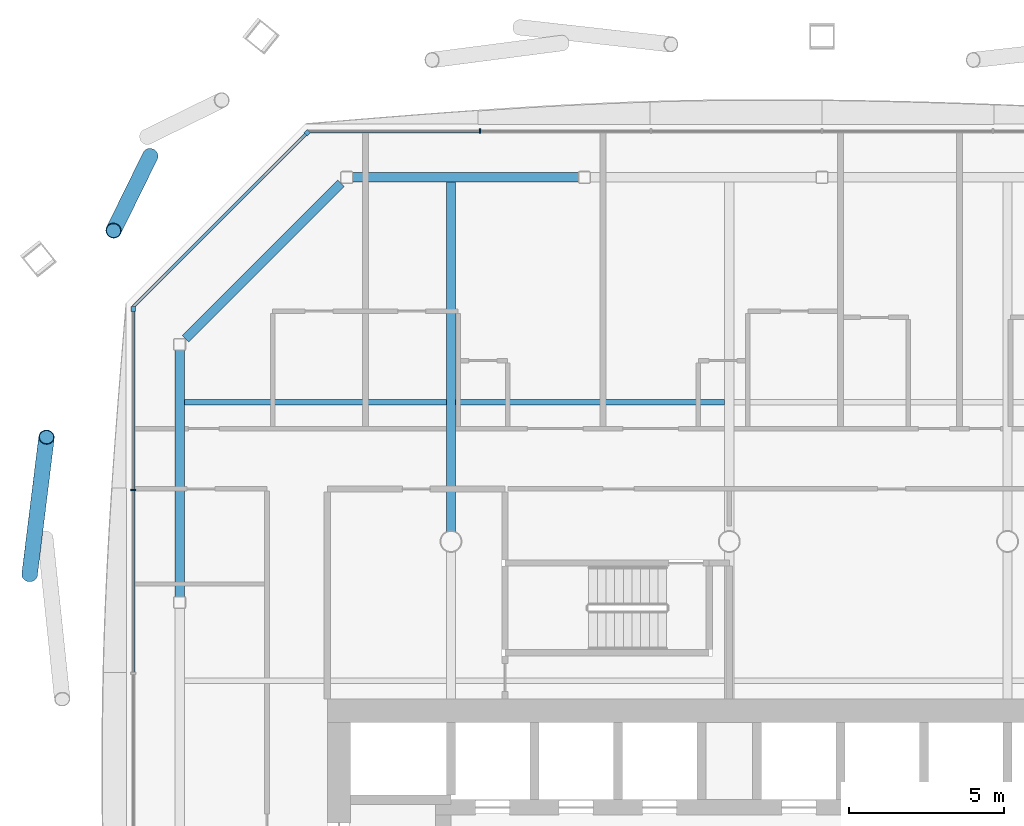
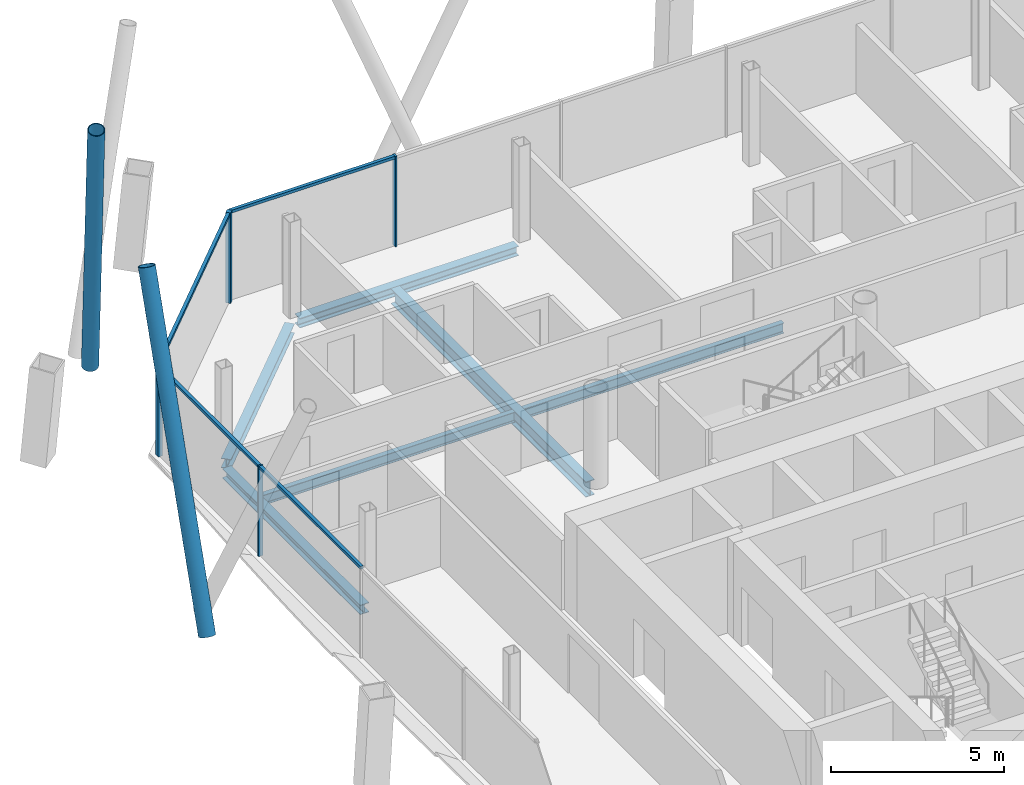
# One storey, part 9 of 23: 10 members, 6 beams, 3 elements without a shape of their own.
"""IFC4 building model written with IfcOpenShell, lengths in metres."""

from ifc_helpers import new_model, si_unit, direction, frame, origin, origin_2d, place, context, subcontext, project, spatial, rectangle, hollow_circle, i_section, extrude, material, material_profile, profile_set, type_object, element, aggregate, save


model = new_model("IFC4")

# Units and contexts
model_context = context("Model", 3, precision=1e-05, world=origin(), true_north=direction((0.0, 1.0)))
body_context = subcontext(model_context, "Body", "Model", "MODEL_VIEW")
ifc_project = project(units=[si_unit("LENGTHUNIT", "METRE"), si_unit("AREAUNIT", "SQUARE_METRE"), si_unit("VOLUMEUNIT", "CUBIC_METRE"), si_unit("PLANEANGLEUNIT", "RADIAN"), si_unit("MASSUNIT", "GRAM", prefix="KILO")], contexts=[model_context])

# Site, building, storey
site_placement = place(None, origin())
site = spatial("IfcSite", under=ifc_project, at=site_placement, CompositionType="ELEMENT")
building_placement = place(site_placement, origin())
building = spatial("IfcBuilding", under=site, at=building_placement, Name="Tskaro Facet Tower", CompositionType="ELEMENT")
storey_placement = place(building_placement, frame((0.0, 0.0, 141.89990234375)))
storey = spatial("IfcBuildingStorey", under=building, at=storey_placement, Name="L34", CompositionType="ELEMENT", Elevation=141.89990234375)

# Members
ifc_material_1 = material(Name="Steel S355J2H", Category="steel")
ifc_material_profile_1 = material_profile(ifc_material_1, hollow_circle(Radius=0.25390625, WallThickness=0.02490234375, at=origin_2d()), Name="CHS 508x25")
ifc_profile_set_1 = profile_set([ifc_material_profile_1], Name="Steel S355J2H")
member_type_1 = type_object("IfcMemberType", Name="CHS 508x25 brace", PredefinedType="BRACE", material=ifc_profile_set_1)
member_1_placement = place(storey_placement, frame((-18.727294921875, 21.46337890625, 0.0), z_axis=(-0.112300826674, -0.228652074755, 0.967009179397), x_axis=(0.897584602758, -0.440842240367, 0.0)))
element("IfcMember", 1, at=member_1_placement, inside=storey, type_object=member_type_1, Name="CHS 508x25 XB09A/3", PredefinedType="BRACE", context=body_context, shape_type="SweptSolid", body=[
    extrude(hollow_circle(Radius=0.25390625, WallThickness=0.02490234375, at=origin_2d()), origin(), (0.0, 0.0, 1.0), 10.548095703125),
])
member_2_placement = place(storey_placement, frame((-22.62548828125, 7.930908203125, 0.0), z_axis=(0.049179870057, 0.398939917397, 0.915657295438), x_axis=(-0.992486990841, 0.122350206419, 0.0)))
element("IfcMember", 2, at=member_2_placement, inside=storey, type_object=member_type_1, Name="CHS 508x25 XB10B/3", PredefinedType="BRACE", context=body_context, shape_type="SweptSolid", body=[
    extrude(hollow_circle(Radius=0.25390625, WallThickness=0.02490234375, at=origin_2d()), origin(), (0.0, 0.0, 1.0), 11.1396484375),
])

# Curtain wall, member
ifc_material_2 = material(Name="Bronze anodised aluminium 6063-T6", Category="aluminium")
curtain_wall_type = type_object("IfcCurtainWallType", Name="Bronze hotel curtain wall (FW2)", PredefinedType="NOTDEFINED", material=ifc_material_2)
curtain_wall_1_placement = place(storey_placement, origin())
curtain_wall_1 = element("IfcCurtainWall", 3, at=curtain_wall_1_placement, inside=storey, type_object=curtain_wall_type, Name="FW2 north-west facet L34", PredefinedType="NOTDEFINED")
ifc_material_profile_2 = material_profile(ifc_material_2, rectangle(XDim=0.14990234375, YDim=0.14990234375, at=origin_2d()), Name="Corner post 150x150")
ifc_profile_set_2 = profile_set([ifc_material_profile_2], Name="Bronze anodised aluminium 6063-T6")
member_type_2 = type_object("IfcMemberType", Name="FW2 bronze corner post 150x150", PredefinedType="MULLION", material=ifc_profile_set_2)
member_3_placement = place(storey_placement, frame((-13.64501953125, 22.218994140625, 0.0), z_axis=(0.0, 0.0, 1.0), x_axis=(-0.707106781187, -0.707106781187, 0.0)))
member_3 = element("IfcMember", 4, at=member_3_placement, type_object=member_type_2, Name="FW2 north-west corner post", PredefinedType="MULLION", context=body_context, shape_type="SweptSolid", body=[
    extrude(rectangle(XDim=0.14990234375, YDim=0.14990234375, at=origin_2d()), origin(), (0.0, 0.0, 1.0), 3.2001953125),
])

curtain_wall_2_placement = place(storey_placement, origin())
curtain_wall_2 = element("IfcCurtainWall", 5, at=curtain_wall_2_placement, inside=storey, type_object=curtain_wall_type, Name="FW2 west facet L34", PredefinedType="NOTDEFINED")
member_4_placement = place(storey_placement, frame((-19.27197265625, 16.51708984375, 0.0), z_axis=(0.0, 0.0, 1.0), x_axis=(0.0, -1.0, 0.0)))
member_4 = element("IfcMember", 6, at=member_4_placement, type_object=member_type_2, Name="FW2 west corner post", PredefinedType="MULLION", context=body_context, shape_type="SweptSolid", body=[
    extrude(rectangle(XDim=0.14990234375, YDim=0.14990234375, at=origin_2d()), origin(), (0.0, 0.0, 1.0), 3.2001953125),
])

curtain_wall_3_placement = place(storey_placement, origin())
curtain_wall_3 = element("IfcCurtainWall", 7, at=curtain_wall_3_placement, inside=storey, type_object=curtain_wall_type, Name="FW2 north facet L34", PredefinedType="NOTDEFINED")
ifc_material_profile_3 = material_profile(ifc_material_2, rectangle(XDim=0.06005859375, YDim=0.14990234375, at=origin_2d()), Name="Mullion 60x150")
ifc_profile_set_3 = profile_set([ifc_material_profile_3], Name="Bronze anodised aluminium 6063-T6")
member_type_3 = type_object("IfcMemberType", Name="FW2 bronze mullion 60x150", PredefinedType="MULLION", material=ifc_profile_set_3)
member_5_placement = place(storey_placement, frame((-8.061279296875, 22.27197265625, 0.0), z_axis=(0.0, 0.0, 1.0), x_axis=(-1.0, 0.0, 0.0)))
member_5 = element("IfcMember", 8, at=member_5_placement, type_object=member_type_3, Name="FW2 north mullion 5", PredefinedType="MULLION", context=body_context, shape_type="SweptSolid", body=[
    extrude(rectangle(XDim=0.06005859375, YDim=0.14990234375, at=origin_2d()), origin(), (0.0, 0.0, 1.0), 3.2001953125),
])

# Member
member_6_placement = place(storey_placement, frame((-19.27197265625, 10.662841796875, 0.0), z_axis=(0.0, 0.0, 1.0), x_axis=(0.0, -1.0, 0.0)))
member_6 = element("IfcMember", 9, at=member_6_placement, type_object=member_type_3, Name="FW2 west mullion 1", PredefinedType="MULLION", context=body_context, shape_type="SweptSolid", body=[
    extrude(rectangle(XDim=0.06005859375, YDim=0.14990234375, at=origin_2d()), origin(), (0.0, 0.0, 1.0), 3.2001953125),
])

ifc_material_profile_4 = material_profile(ifc_material_2, rectangle(XDim=0.110107421875, YDim=0.10009765625, at=origin_2d()), Name="Transom 110x100")
ifc_profile_set_4 = profile_set([ifc_material_profile_4], Name="Bronze anodised aluminium 6063-T6")
member_type_4 = type_object("IfcMemberType", Name="FW2 bronze transom 110x100", PredefinedType="USERDEFINED", material=ifc_profile_set_4)
member_7_placement = place(storey_placement, frame((-8.09130859375, 22.27197265625, 3.150146484375), z_axis=(-1.0, 0.0, 0.0), x_axis=(0.0, -1.0, 0.0)))
member_7 = element("IfcMember", 10, at=member_7_placement, type_object=member_type_4, Name="FW2 north transom 6.1", ObjectType="TRANSOM", PredefinedType="USERDEFINED", context=body_context, shape_type="SweptSolid", body=[
    extrude(rectangle(XDim=0.110107421875, YDim=0.10009765625, at=origin_2d()), origin(), (0.0, 0.0, 1.0), 5.500732421875),
])

aggregate(curtain_wall_3, [member_5, member_7])

member_8_placement = place(storey_placement, frame((-13.697998046875, 22.166015625, 3.150146484375), z_axis=(-0.707106781187, -0.707106781187, 0.0), x_axis=(0.707106781187, -0.707106781187, 0.0)))
member_8 = element("IfcMember", 11, at=member_8_placement, type_object=member_type_4, Name="FW2 north-west transom 1.1", ObjectType="TRANSOM", PredefinedType="USERDEFINED", context=body_context, shape_type="SweptSolid", body=[
    extrude(rectangle(XDim=0.110107421875, YDim=0.10009765625, at=origin_2d()), origin(), (0.0, 0.0, 1.0), 7.8828125),
])

aggregate(curtain_wall_1, [member_3, member_8])

member_9_placement = place(storey_placement, frame((-19.27197265625, 16.44189453125, 3.150146484375), z_axis=(0.0, -1.0, 0.0), x_axis=(1.0, 0.0, 0.0)))
member_9 = element("IfcMember", 12, at=member_9_placement, type_object=member_type_4, Name="FW2 west transom 1.1", ObjectType="TRANSOM", PredefinedType="USERDEFINED", context=body_context, shape_type="SweptSolid", body=[
    extrude(rectangle(XDim=0.110107421875, YDim=0.10009765625, at=origin_2d()), origin(), (0.0, 0.0, 1.0), 5.7490234375),
])

member_10_placement = place(storey_placement, frame((-19.27197265625, 10.6328125, 3.150146484375), z_axis=(0.0, -1.0, 0.0), x_axis=(1.0, 0.0, 0.0)))
member_10 = element("IfcMember", 13, at=member_10_placement, type_object=member_type_4, Name="FW2 west transom 2.1", ObjectType="TRANSOM", PredefinedType="USERDEFINED", context=body_context, shape_type="SweptSolid", body=[
    extrude(rectangle(XDim=0.110107421875, YDim=0.10009765625, at=origin_2d()), origin(), (0.0, 0.0, 1.0), 5.869140625),
])

aggregate(curtain_wall_2, [member_4, member_6, member_9, member_10])

# Beams
ifc_material_3 = material(Name="Steel S355J2", Category="steel")
ifc_material_profile_5 = material_profile(ifc_material_3, i_section(OverallWidth=0.300048828125, OverallDepth=0.340087890625, WebThickness=0.011962890625, FlangeThickness=0.021484375, FilletRadius=0.027099609375, at=origin_2d()), Name="HE 340 B")
ifc_profile_set_5 = profile_set([ifc_material_profile_5], Name="Steel S355J2")
beam_type_1 = type_object("IfcBeamType", Name="HE 340 B ring beam", PredefinedType="BEAM", material=ifc_profile_set_5)
beam_1_placement = place(storey_placement, frame((-4.864013671875, 20.77392578125, -0.309814453125), z_axis=(-1.0, 0.0, 0.0), x_axis=(0.0, -1.0, 0.0)))
element("IfcBeam", 14, at=beam_1_placement, inside=storey, type_object=beam_type_1, Name="HE 340 B EB14-3", PredefinedType="BEAM", context=body_context, shape_type="SweptSolid", body=[
    extrude(i_section(OverallWidth=0.300048828125, OverallDepth=0.340087890625, WebThickness=0.011962890625, FlangeThickness=0.021484375, FilletRadius=0.027099609375, at=origin_2d()), origin(), (0.0, 0.0, 1.0), 7.323974609375),
])
beam_2_placement = place(storey_placement, frame((-12.553955078125, 20.588134765625, -0.309814453125), z_axis=(-0.707106781187, -0.707106781187, 0.0), x_axis=(0.707106781187, -0.707106781187, 0.0)))
element("IfcBeam", 15, at=beam_2_placement, inside=storey, type_object=beam_type_1, Name="HE 340 B EB15-3", PredefinedType="BEAM", context=body_context, shape_type="SweptSolid", body=[
    extrude(i_section(OverallWidth=0.300048828125, OverallDepth=0.340087890625, WebThickness=0.011962890625, FlangeThickness=0.021484375, FilletRadius=0.027099609375, at=origin_2d()), origin(), (0.0, 0.0, 1.0), 7.119384765625),
])
beam_3_placement = place(storey_placement, frame((-17.77392578125, 15.18798828125, -0.309814453125), z_axis=(0.0, -1.0, 0.0), x_axis=(1.0, 0.0, 0.0)))
element("IfcBeam", 16, at=beam_3_placement, inside=storey, type_object=beam_type_1, Name="HE 340 B EB16-3", PredefinedType="BEAM", context=body_context, shape_type="SweptSolid", body=[
    extrude(i_section(OverallWidth=0.300048828125, OverallDepth=0.340087890625, WebThickness=0.011962890625, FlangeThickness=0.021484375, FilletRadius=0.027099609375, at=origin_2d()), origin(), (0.0, 0.0, 1.0), 7.98193359375),
])
ifc_material_profile_6 = material_profile(ifc_material_3, i_section(OverallWidth=0.300048828125, OverallDepth=0.5400390625, WebThickness=0.012451171875, FlangeThickness=0.02392578125, FilletRadius=0.027099609375, at=origin_2d()), Name="HE 550 A")
ifc_profile_set_6 = profile_set([ifc_material_profile_6], Name="Steel S355J2")
beam_type_2 = type_object("IfcBeamType", Name="HE 550 A long girder", PredefinedType="BEAM", material=ifc_profile_set_6)
beam_4_placement = place(storey_placement, frame((-9.0, 9.325439453125, -0.409912109375), z_axis=(0.0, 1.0, 0.0), x_axis=(-1.0, 0.0, 0.0)))
element("IfcBeam", 17, at=beam_4_placement, inside=storey, type_object=beam_type_2, Name="HE 550 A LGB3-3-3", PredefinedType="BEAM", context=body_context, shape_type="SweptSolid", body=[
    extrude(i_section(OverallWidth=0.300048828125, OverallDepth=0.5400390625, WebThickness=0.012451171875, FlangeThickness=0.02392578125, FilletRadius=0.027099609375, at=origin_2d()), origin(), (0.0, 0.0, 1.0), 11.298583984375),
])
ifc_material_profile_7 = material_profile(ifc_material_3, i_section(OverallWidth=0.169921875, OverallDepth=0.360107421875, WebThickness=0.008056640625, FlangeThickness=0.0126953125, FilletRadius=0.01806640625, at=origin_2d()), Name="IPE 360")
ifc_profile_set_7 = profile_set([ifc_material_profile_7], Name="Steel S355J2")
beam_type_3 = type_object("IfcBeamType", Name="IPE 360 secondary beam", PredefinedType="BEAM", material=ifc_profile_set_7)
beam_5_placement = place(storey_placement, frame((-17.6240234375, 13.5, -0.31982421875), z_axis=(1.0, 0.0, 0.0), x_axis=(0.0, 1.0, 0.0)))
element("IfcBeam", 18, at=beam_5_placement, inside=storey, type_object=beam_type_3, Name="IPE 360 SB5a-1-3", PredefinedType="BEAM", context=body_context, shape_type="SweptSolid", body=[
    extrude(i_section(OverallWidth=0.169921875, OverallDepth=0.360107421875, WebThickness=0.008056640625, FlangeThickness=0.0126953125, FilletRadius=0.01806640625, at=origin_2d()), origin(), (0.0, 0.0, 1.0), 8.47412109375),
])
beam_6_placement = place(storey_placement, frame((-8.85009765625, 13.5, -0.31982421875), z_axis=(1.0, 0.0, 0.0), x_axis=(0.0, 1.0, 0.0)))
element("IfcBeam", 19, at=beam_6_placement, inside=storey, type_object=beam_type_3, Name="IPE 360 SB5a-2-3", PredefinedType="BEAM", context=body_context, shape_type="SweptSolid", body=[
    extrude(i_section(OverallWidth=0.169921875, OverallDepth=0.360107421875, WebThickness=0.008056640625, FlangeThickness=0.0126953125, FilletRadius=0.01806640625, at=origin_2d()), origin(), (0.0, 0.0, 1.0), 8.7001953125),
])

save(model, "model.ifc")
